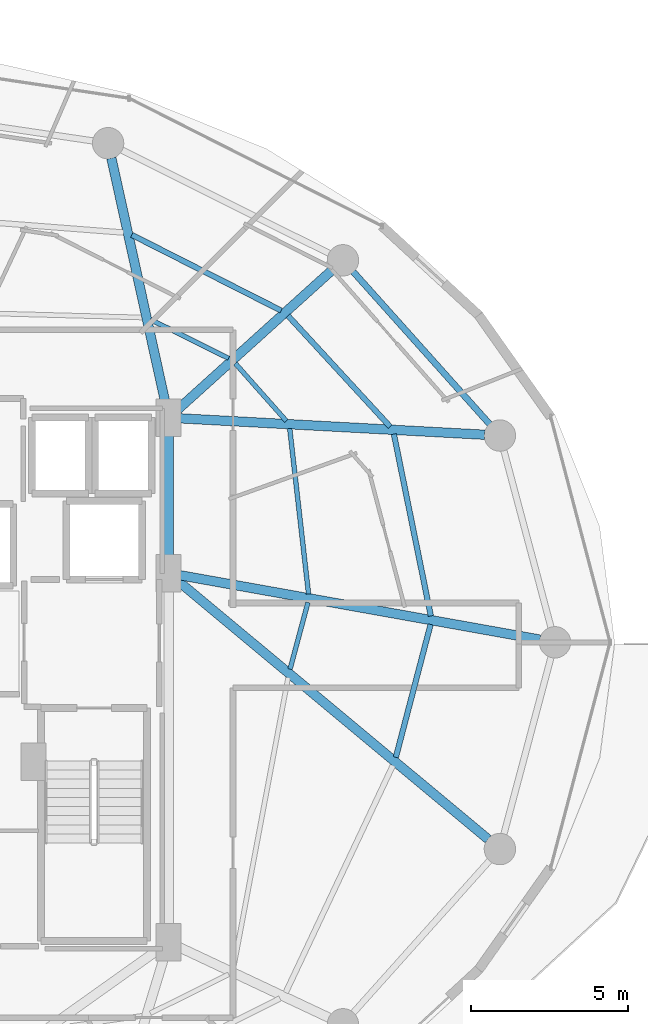
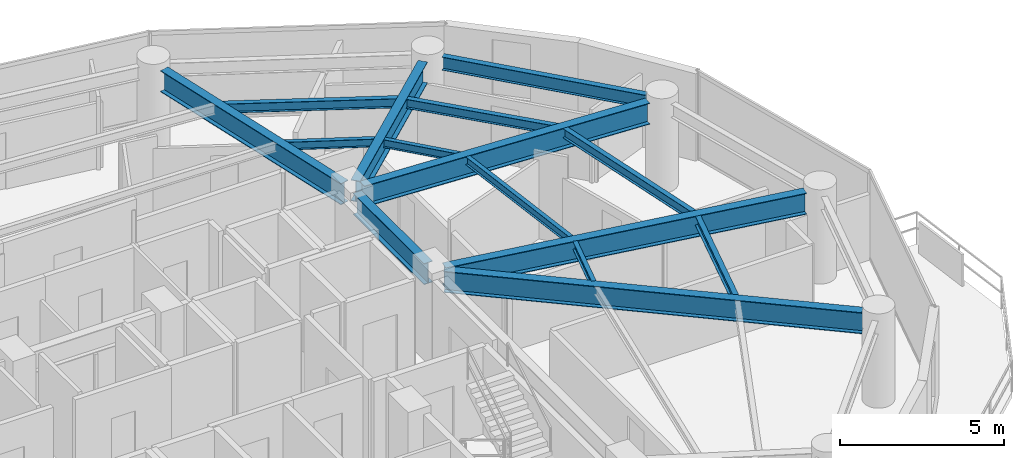
# One storey, part 15 of 31: 15 beams.
"""IFC4 building model written with IfcOpenShell, lengths in metres."""

from ifc_helpers import new_model, si_unit, direction, frame, origin, origin_2d, place, context, subcontext, project, spatial, i_section, extrude, material, material_profile, profile_set, type_object, element, save


model = new_model("IFC4")

# Units and contexts
model_context = context("Model", 3, precision=1e-05, world=origin(), true_north=direction((0.0, 1.0)))
body_context = subcontext(model_context, "Body", "Model", "MODEL_VIEW")
ifc_project = project(units=[si_unit("LENGTHUNIT", "METRE"), si_unit("AREAUNIT", "SQUARE_METRE"), si_unit("VOLUMEUNIT", "CUBIC_METRE"), si_unit("PLANEANGLEUNIT", "RADIAN"), si_unit("MASSUNIT", "GRAM", prefix="KILO")], contexts=[model_context])

# Site, building, storey
site_placement = place(None, origin())
site = spatial("IfcSite", under=ifc_project, at=site_placement, CompositionType="ELEMENT")
building_placement = place(site_placement, origin())
building = spatial("IfcBuilding", under=site, at=building_placement, Name="Vorneva Point Tower", CompositionType="ELEMENT")
storey_placement = place(building_placement, frame((0.0, 0.0, 132.60009765625)))
storey = spatial("IfcBuildingStorey", under=building, at=storey_placement, Name="L35", CompositionType="ELEMENT", Elevation=132.60009765625)

# Beams
ifc_material = material(Name="Steel S355", Category="steel")
ifc_material_profile_1 = material_profile(ifc_material, i_section(OverallWidth=0.300048828125, OverallDepth=0.7880859375, WebThickness=0.014404296875, FlangeThickness=0.02197265625, at=origin_2d()), Name="80Sh1")
ifc_profile_set_1 = profile_set([ifc_material_profile_1], Name="Steel S355")
beam_type_1 = type_object("IfcBeamType", Name="BM-GRD-80Sh1", PredefinedType="USERDEFINED", material=ifc_profile_set_1)
beam_1_placement = place(storey_placement, frame((60.569580078125, 26.0859375, 2.845947265625), z_axis=(-0.984378132756, 0.176067293249, 0.0), x_axis=(-0.176067293249, -0.984378132756, 0.0)))
element("IfcBeam", 1, at=beam_1_placement, inside=storey, type_object=beam_type_1, Name="L35 Radial Primary Girder 01", ObjectType="GIRDER", PredefinedType="USERDEFINED", context=body_context, shape_type="SweptSolid", body=[
    extrude(i_section(OverallWidth=0.300048828125, OverallDepth=0.7880859375, WebThickness=0.014404296875, FlangeThickness=0.02197265625, at=origin_2d()), origin(), (0.0, 0.0, 1.0), 11.667236328125),
])
beam_2_placement = place(storey_placement, frame((58.80810546875, 32.6083984375, 2.845947265625), z_axis=(-0.998554051908, 0.053756910424, 0.0), x_axis=(-0.053756910424, -0.998554051908, 0.0)))
element("IfcBeam", 2, at=beam_2_placement, inside=storey, type_object=beam_type_1, Name="L35 Radial Primary Girder 02", ObjectType="GIRDER", PredefinedType="USERDEFINED", context=body_context, shape_type="SweptSolid", body=[
    extrude(i_section(OverallWidth=0.300048828125, OverallDepth=0.7880859375, WebThickness=0.014404296875, FlangeThickness=0.02197265625, at=origin_2d()), origin(), (0.0, 0.0, 1.0), 9.732666015625),
])
beam_3_placement = place(storey_placement, frame((53.936767578125, 37.835205078125, 2.845947265625), z_axis=(-0.742084379637, -0.670306477292, 0.0), x_axis=(0.670306477292, -0.742084379637, 0.0)))
element("IfcBeam", 3, at=beam_3_placement, inside=storey, type_object=beam_type_1, Name="L35 Radial Primary Girder 03", ObjectType="GIRDER", PredefinedType="USERDEFINED", context=body_context, shape_type="SweptSolid", body=[
    extrude(i_section(OverallWidth=0.300048828125, OverallDepth=0.7880859375, WebThickness=0.014404296875, FlangeThickness=0.02197265625, at=origin_2d()), origin(), (0.0, 0.0, 1.0), 6.649658203125),
])
beam_4_placement = place(storey_placement, frame((46.926025390625, 41.414306640625, 2.845947265625), z_axis=(0.215520500859, -0.976499315775, 0.0), x_axis=(0.976499315775, 0.215520500859, 0.0)))
element("IfcBeam", 4, at=beam_4_placement, inside=storey, type_object=beam_type_1, Name="L35 Radial Primary Girder 04", ObjectType="GIRDER", PredefinedType="USERDEFINED", context=body_context, shape_type="SweptSolid", body=[
    extrude(i_section(OverallWidth=0.300048828125, OverallDepth=0.7880859375, WebThickness=0.014404296875, FlangeThickness=0.02197265625, at=origin_2d()), origin(), (0.0, 0.0, 1.0), 8.123291015625),
])
beam_5_placement = place(storey_placement, frame((58.92041015625, 19.72998046875, 2.845947265625), z_axis=(-0.76841987547, 0.639946009428, 0.0), x_axis=(-0.639946009428, -0.76841987547, 0.0)))
element("IfcBeam", 5, at=beam_5_placement, inside=storey, type_object=beam_type_1, Name="L35 Radial Primary Girder 16", ObjectType="GIRDER", PredefinedType="USERDEFINED", context=body_context, shape_type="SweptSolid", body=[
    extrude(i_section(OverallWidth=0.300048828125, OverallDepth=0.7880859375, WebThickness=0.014404296875, FlangeThickness=0.02197265625, at=origin_2d()), origin(), (0.0, 0.0, 1.0), 12.8955078125),
])
beam_6_placement = place(storey_placement, frame((48.75, 28.52001953125, 2.845947265625), z_axis=(0.0, 1.0, 0.0), x_axis=(-1.0, 0.0, 0.0)))
element("IfcBeam", 6, at=beam_6_placement, inside=storey, type_object=beam_type_1, Name="L35 Core Tie Girder CT4", ObjectType="GIRDER", PredefinedType="USERDEFINED", context=body_context, shape_type="SweptSolid", body=[
    extrude(i_section(OverallWidth=0.300048828125, OverallDepth=0.7880859375, WebThickness=0.014404296875, FlangeThickness=0.02197265625, at=origin_2d()), origin(), (0.0, 0.0, 1.0), 4.31005859375),
])
ifc_material_profile_2 = material_profile(ifc_material, i_section(OverallWidth=0.14892578125, OverallDepth=0.298095703125, WebThickness=0.005615234375, FlangeThickness=0.008056640625, at=origin_2d()), Name="30B1")
ifc_profile_set_2 = profile_set([ifc_material_profile_2], Name="Steel S355")
beam_type_2 = type_object("IfcBeamType", Name="BM-JST-30B1", PredefinedType="JOIST", material=ifc_profile_set_2)
beam_7_placement = place(storey_placement, frame((53.20361328125, 27.53759765625, 3.0908203125), z_axis=(-0.113124562524, 0.993580813701, 0.0), x_axis=(-0.993580813701, -0.113124562524, 0.0)))
element("IfcBeam", 7, at=beam_7_placement, inside=storey, type_object=beam_type_2, Name="L35 Secondary Floor Beam 2.01", PredefinedType="JOIST", context=body_context, shape_type="SweptSolid", body=[
    extrude(i_section(OverallWidth=0.14892578125, OverallDepth=0.298095703125, WebThickness=0.005615234375, FlangeThickness=0.008056640625, at=origin_2d()), origin(), (0.0, 0.0, 1.0), 5.302490234375),
])
beam_8_placement = place(storey_placement, frame((52.49658203125, 33.04638671875, 3.0908203125), z_axis=(-0.66365236786, 0.748041131646, 0.0), x_axis=(-0.748041131646, -0.66365236786, 0.0)))
element("IfcBeam", 8, at=beam_8_placement, inside=storey, type_object=beam_type_2, Name="L35 Secondary Floor Beam 2.02", PredefinedType="JOIST", context=body_context, shape_type="SweptSolid", body=[
    extrude(i_section(OverallWidth=0.14892578125, OverallDepth=0.298095703125, WebThickness=0.005615234375, FlangeThickness=0.008056640625, at=origin_2d()), origin(), (0.0, 0.0, 1.0), 2.450439453125),
])
beam_9_placement = place(storey_placement, frame((50.655029296875, 35.043701171875, 3.0908203125), z_axis=(-0.895831018968, 0.444394853092, 0.0), x_axis=(-0.444394853092, -0.895831018968, 0.0)))
element("IfcBeam", 9, at=beam_9_placement, inside=storey, type_object=beam_type_2, Name="L35 Secondary Floor Beam 2.03", PredefinedType="JOIST", context=body_context, shape_type="SweptSolid", body=[
    extrude(i_section(OverallWidth=0.14892578125, OverallDepth=0.298095703125, WebThickness=0.005615234375, FlangeThickness=0.008056640625, at=origin_2d()), origin(), (0.0, 0.0, 1.0), 2.77392578125),
])
beam_10_placement = place(storey_placement, frame((52.6142578125, 25.14501953125, 3.0908203125), z_axis=(0.259100758483, 0.965850297382, 0.0), x_axis=(-0.965850297382, 0.259100758483, 0.0)))
element("IfcBeam", 10, at=beam_10_placement, inside=storey, type_object=beam_type_2, Name="L35 Secondary Floor Beam 2.16", PredefinedType="JOIST", context=body_context, shape_type="SweptSolid", body=[
    extrude(i_section(OverallWidth=0.14892578125, OverallDepth=0.298095703125, WebThickness=0.005615234375, FlangeThickness=0.008056640625, at=origin_2d()), origin(), (0.0, 0.0, 1.0), 2.197265625),
])
ifc_material_profile_3 = material_profile(ifc_material, i_section(OverallWidth=0.174072265625, OverallDepth=0.345947265625, WebThickness=0.006103515625, FlangeThickness=0.009033203125, at=origin_2d()), Name="35B1")
ifc_profile_set_3 = profile_set([ifc_material_profile_3], Name="Steel S355")
beam_type_3 = type_object("IfcBeamType", Name="BM-SEC-35B1", PredefinedType="BEAM", material=ifc_profile_set_3)
beam_11_placement = place(storey_placement, frame((57.0966796875, 26.83740234375, 3.06689453125), z_axis=(-0.199077897851, 0.979983668531, 0.0), x_axis=(-0.979983668531, -0.199077897851, 0.0)))
element("IfcBeam", 11, at=beam_11_placement, inside=storey, type_object=beam_type_3, Name="L35 Secondary Floor Beam 1.01", PredefinedType="BEAM", context=body_context, shape_type="SweptSolid", body=[
    extrude(i_section(OverallWidth=0.174072265625, OverallDepth=0.345947265625, WebThickness=0.006103515625, FlangeThickness=0.009033203125, at=origin_2d()), origin(), (0.0, 0.0, 1.0), 5.9111328125),
])
beam_12_placement = place(storey_placement, frame((55.799072265625, 32.866943359375, 3.06689453125), z_axis=(-0.677292423638, 0.735713920545, 0.0), x_axis=(-0.735713920545, -0.677292423638, 0.0)))
element("IfcBeam", 12, at=beam_12_placement, inside=storey, type_object=beam_type_3, Name="L35 Secondary Floor Beam 1.02", PredefinedType="BEAM", context=body_context, shape_type="SweptSolid", body=[
    extrude(i_section(OverallWidth=0.174072265625, OverallDepth=0.345947265625, WebThickness=0.006103515625, FlangeThickness=0.009033203125, at=origin_2d()), origin(), (0.0, 0.0, 1.0), 4.79736328125),
])
beam_13_placement = place(storey_placement, frame((52.333251953125, 36.560302734375, 3.06689453125), z_axis=(-0.891979436535, 0.452075972375, 0.0), x_axis=(-0.452075972375, -0.891979436535, 0.0)))
element("IfcBeam", 13, at=beam_13_placement, inside=storey, type_object=beam_type_3, Name="L35 Secondary Floor Beam 1.03", PredefinedType="BEAM", context=body_context, shape_type="SweptSolid", body=[
    extrude(i_section(OverallWidth=0.174072265625, OverallDepth=0.345947265625, WebThickness=0.006103515625, FlangeThickness=0.009033203125, at=origin_2d()), origin(), (0.0, 0.0, 1.0), 5.335205078125),
])
beam_14_placement = place(storey_placement, frame((55.982666015625, 22.33935546875, 3.06689453125), z_axis=(0.253099315656, 0.967440301215, 0.0), x_axis=(-0.967440301215, 0.253099315656, 0.0)))
element("IfcBeam", 14, at=beam_14_placement, inside=storey, type_object=beam_type_3, Name="L35 Secondary Floor Beam 1.16", PredefinedType="BEAM", context=body_context, shape_type="SweptSolid", body=[
    extrude(i_section(OverallWidth=0.174072265625, OverallDepth=0.345947265625, WebThickness=0.006103515625, FlangeThickness=0.009033203125, at=origin_2d()), origin(), (0.0, 0.0, 1.0), 4.37158203125),
])
ifc_material_profile_4 = material_profile(ifc_material, i_section(OverallWidth=0.199951171875, OverallDepth=0.491943359375, WebThickness=0.0087890625, FlangeThickness=0.011962890625, at=origin_2d()), Name="50B1")
ifc_profile_set_4 = profile_set([ifc_material_profile_4], Name="Steel S355")
beam_type_4 = type_object("IfcBeamType", Name="BM-SPN-50B1", PredefinedType="SPANDREL", material=ifc_profile_set_4)
beam_15_placement = place(storey_placement, frame((58.971923828125, 32.943603515625, 2.993896484375), z_axis=(-0.667111118975, 0.74495822362, 0.0), x_axis=(-0.74495822362, -0.667111118975, 0.0)))
element("IfcBeam", 15, at=beam_15_placement, inside=storey, type_object=beam_type_4, Name="L35 Perimeter Spandrel Ring Beam 02", PredefinedType="SPANDREL", context=body_context, shape_type="SweptSolid", body=[
    extrude(i_section(OverallWidth=0.199951171875, OverallDepth=0.491943359375, WebThickness=0.0087890625, FlangeThickness=0.011962890625, at=origin_2d()), origin(), (0.0, 0.0, 1.0), 6.52001953125),
])

save(model, "model.ifc")
